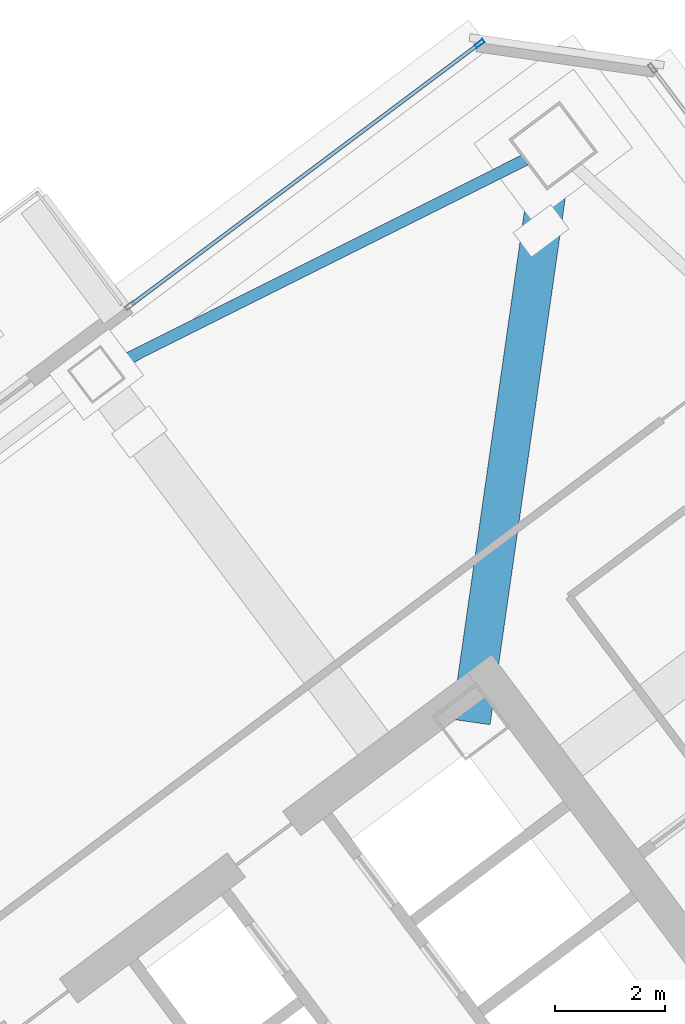
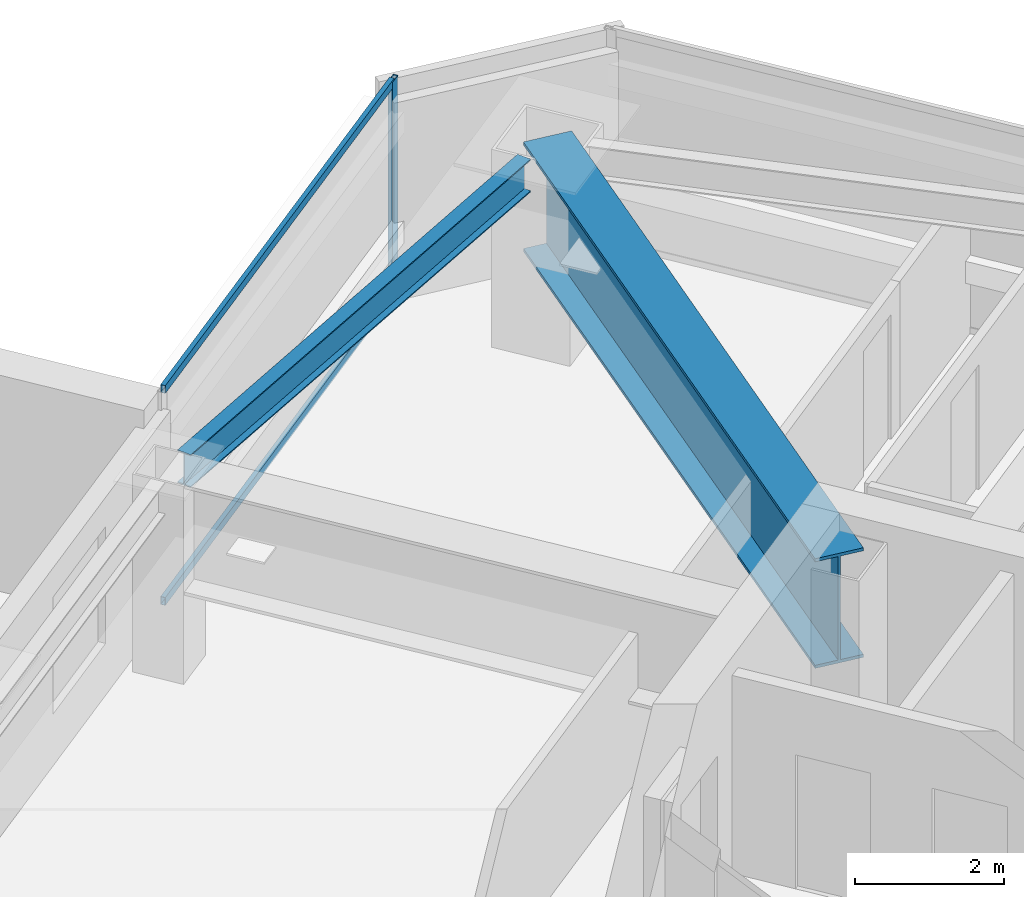
# One storey, part 28 of 42: 3 members, 2 beams, 1 element without a shape of its own.
"""IFC4 building model written with IfcOpenShell, lengths in metres."""

import ifcopenshell
import ifcopenshell.guid

model = None  # the IFC model being written
_history = None  # IfcOwnerHistory: only IFC2X3 demands one
_inside = {}  # id of a spatial element -> (the spatial element, [elements in it])
_under = {}  # id of a project, library or spatial element -> (it, [spatial elements below it])
_declared = {}  # id of a project -> (the project, [libraries it declares])
_typed = {}  # id of a type object -> (the type object, [elements of that type])
_made_of = {}  # id of a material, layer set ... -> (it, [elements and type objects made of it])


def new_model(schema):
    """Start an empty IFC model of exactly this schema.

    Asked for "IFC4X3", IfcOpenShell would pick the latest addendum, in which some entities
    have other attributes; the version numbers below select the first issue.
    IFC2X3 requires an IfcOwnerHistory on every rooted entity: one is made here for all.
    """
    global model, _history
    if schema == "IFC4X3":
        model = ifcopenshell.file(schema_version=(4, 3, 0, 0))
    else:
        model = ifcopenshell.file(schema=schema)
    _inside.clear()
    _under.clear()
    _declared.clear()
    _typed.clear()
    _made_of.clear()
    _history = None
    if model.schema == "IFC2X3":
        org = make("IfcOrganization", Name="unknown")
        user = make(
            "IfcPersonAndOrganization",
            ThePerson=make("IfcPerson", FamilyName="unknown"),
            TheOrganization=org,
        )
        app = make(
            "IfcApplication",
            ApplicationDeveloper=org,
            Version="unknown",
            ApplicationFullName="unknown",
            ApplicationIdentifier="unknown",
        )
        _history = make(
            "IfcOwnerHistory",
            OwningUser=user,
            OwningApplication=app,
            ChangeAction="ADDED",
            CreationDate=0,
        )
    return model


def make(cls, **values):
    """One entity of the class cls with the attributes given. An attribute that is None is left unset."""
    return model.create_entity(
        cls, **{name: value for name, value in values.items() if value is not None}
    )


def rooted(cls, **values):
    """An entity with a GlobalId (a new one), such as an element, a storey or a relation."""
    return make(cls, GlobalId=ifcopenshell.guid.new(), OwnerHistory=_history, **values)


def si_unit(unit_type, name, prefix=None):
    """IfcSIUnit, for example si_unit("LENGTHUNIT", "METRE", prefix="MILLI")."""
    return make("IfcSIUnit", UnitType=unit_type, Prefix=prefix, Name=name)


def assignment(units):
    """IfcUnitAssignment: the units of a project."""
    return None if units is None else make("IfcUnitAssignment", Units=units)


def point(xyz):
    """IfcCartesianPoint."""
    return None if xyz is None else make("IfcCartesianPoint", Coordinates=xyz)


def direction(xyz):
    """IfcDirection."""
    return None if xyz is None else make("IfcDirection", DirectionRatios=xyz)


def frame(location, z_axis=None, x_axis=None):
    """IfcAxis2Placement3D, a coordinate frame: its origin and axes. An axis left out is left unset."""
    return make(
        "IfcAxis2Placement3D",
        Location=point(location),
        Axis=direction(z_axis),
        RefDirection=direction(x_axis),
    )


def frame_2d(location, x_axis=None):
    """IfcAxis2Placement2D, a coordinate frame in the plane: its origin and x axis."""
    return make(
        "IfcAxis2Placement2D", Location=point(location), RefDirection=direction(x_axis)
    )


def origin():
    """The frame at (0, 0, 0) with its axes left unset."""
    return frame((0.0, 0.0, 0.0))


def origin_2d():
    """The frame at (0, 0) in the plane with its x axis left unset."""
    return frame_2d((0.0, 0.0))


def place(relative_to, where):
    """IfcLocalPlacement: puts the frame where relative to a parent placement (None: the world)."""
    return make(
        "IfcLocalPlacement", PlacementRelTo=relative_to, RelativePlacement=where
    )


def context(
    kind, dimensions, precision=None, world=None, true_north=None, identifier=None
):
    """IfcGeometricRepresentationContext, for example the 3D "Model" context."""
    return make(
        "IfcGeometricRepresentationContext",
        ContextIdentifier=identifier,
        ContextType=kind,
        CoordinateSpaceDimension=dimensions,
        Precision=precision,
        WorldCoordinateSystem=world,
        TrueNorth=true_north,
    )


def subcontext(parent, identifier, kind, view, scale=None):
    """IfcGeometricRepresentationSubContext, for example "Body" below "Model"."""
    return make(
        "IfcGeometricRepresentationSubContext",
        ContextIdentifier=identifier,
        ContextType=kind,
        ParentContext=parent,
        TargetScale=scale,
        TargetView=view,
    )


def project(units=None, contexts=None):
    """IfcProject with its units and contexts."""
    return rooted(
        "IfcProject",
        Name="project",
        RepresentationContexts=contexts,
        UnitsInContext=assignment(units),
    )


def spatial(cls, under=None, at=None, **own):
    """A site, building, storey or space (cls), placed at a placement, below another one or the project."""
    s = rooted(cls, ObjectPlacement=at, **own)
    if under is not None:
        _under.setdefault(under.id(), (under, []))[1].append(s)
    return s


def profile(cls, at=None, kind="AREA", **sizes):
    """A parametric profile (cls). Its sizes go by their IFC names, for example OverallWidth=200.0."""
    return make(cls, ProfileType=kind, Position=at, **sizes)


def hollow_rectangle(**sizes):
    """IfcRectangleHollowProfileDef."""
    return profile("IfcRectangleHollowProfileDef", **sizes)


def i_section(**sizes):
    """IfcIShapeProfileDef."""
    return profile("IfcIShapeProfileDef", **sizes)


def extrude(swept, where, along, depth):
    """IfcExtrudedAreaSolid: the profile swept, set in the frame where, extruded along a direction by depth."""
    return make(
        "IfcExtrudedAreaSolid",
        SweptArea=swept,
        Position=where,
        ExtrudedDirection=direction(along),
        Depth=depth,
    )


def shape(context_of_items, identifier, shape_type, items):
    """IfcShapeRepresentation: the items that make up one representation, for example the "Body"."""
    return make(
        "IfcShapeRepresentation",
        ContextOfItems=context_of_items,
        RepresentationIdentifier=identifier,
        RepresentationType=shape_type,
        Items=items,
    )


def material(Name=None, Category=None):
    """IfcMaterial."""
    return make("IfcMaterial", Name=Name, Category=Category)


def material_profile(
    of_material, cross_section, Name=None, Category=None, Priority=None
):
    """IfcMaterialProfile: a cross section and its material."""
    return make(
        "IfcMaterialProfile",
        Name=Name,
        Material=of_material,
        Profile=cross_section,
        Priority=Priority,
        Category=Category,
    )


def profile_set(profiles, Name=None, composite=None):
    """IfcMaterialProfileSet."""
    return make(
        "IfcMaterialProfileSet",
        Name=Name,
        MaterialProfiles=profiles,
        CompositeProfile=composite,
    )


def made_of(thing, what):
    """Note that an element or type object is made of a material, layer set ...; save() writes the relation."""
    if what is not None:
        _made_of.setdefault(what.id(), (what, []))[1].append(thing)
    return thing


def type_object(cls, material=None, **own):
    """A type object (cls), such as IfcWallType, which elements share."""
    return made_of(rooted(cls, **own), material)


def element(
    cls,
    number,
    at=None,
    inside=None,
    cuts=None,
    type_object=None,
    material=None,
    context=None,
    identifier="Body",
    shape_type=None,
    held_by="IfcProductDefinitionShape",
    body=None,
    shapes=None,
    **own,
):
    """One element of the class cls, such as IfcWall. Its Tag is "e" and its number.

    at: its placement. inside: the storey or other place that contains it. cuts: it is an
    opening in that element (IfcRelVoidsElement). A single representation is given by context,
    identifier, shape_type and body (its items); several are given by shapes. held_by: the class
    of the entity that holds the representations. save() writes the other relations.
    """
    e = rooted(cls, Tag="e%d" % number, ObjectPlacement=at, **own)
    if body is not None:
        shapes = [shape(context, identifier, shape_type, body)]
    if shapes is not None:
        e.Representation = make(held_by, Representations=shapes)
    if inside is not None:
        _inside.setdefault(inside.id(), (inside, []))[1].append(e)
    if cuts is not None:
        rooted(
            "IfcRelVoidsElement", RelatingBuildingElement=cuts, RelatedOpeningElement=e
        )
    if type_object is not None:
        _typed.setdefault(type_object.id(), (type_object, []))[1].append(e)
    return made_of(e, material)


def aggregate(whole, parts):
    """IfcRelAggregates: a whole, such as a stair, and the parts it consists of."""
    return rooted("IfcRelAggregates", RelatingObject=whole, RelatedObjects=parts)


def save(model, path):
    """Write the relations noted so far, then the file.

    IfcRelAggregates (storeys below a building ...), IfcRelContainedInSpatialStructure (elements
    in a storey), IfcRelDefinesByType, IfcRelAssociatesMaterial and IfcRelDeclares: one each for
    every whole, place, type object, material and project.
    """
    for whole, parts in _under.values():
        aggregate(whole, parts)
    for where, things in _inside.values():
        rooted(
            "IfcRelContainedInSpatialStructure",
            RelatedElements=things,
            RelatingStructure=where,
        )
    for kind, things in _typed.values():
        rooted("IfcRelDefinesByType", RelatedObjects=things, RelatingType=kind)
    for what, things in _made_of.values():
        rooted("IfcRelAssociatesMaterial", RelatedObjects=things, RelatingMaterial=what)
    for by, libraries in _declared.values():
        rooted("IfcRelDeclares", RelatingContext=by, RelatedDefinitions=libraries)
    model.write(path)


model = new_model("IFC4")

# Units and contexts
model_context = context("Model", 3, precision=1e-05, world=origin(), true_north=direction((0.0, 1.0)))
body_context = subcontext(model_context, "Body", "Model", "MODEL_VIEW")
ifc_project = project(units=[si_unit("LENGTHUNIT", "METRE"), si_unit("AREAUNIT", "SQUARE_METRE"), si_unit("VOLUMEUNIT", "CUBIC_METRE"), si_unit("PLANEANGLEUNIT", "RADIAN"), si_unit("MASSUNIT", "GRAM", prefix="KILO")], contexts=[model_context])

# Site, building, storey
site_placement = place(None, origin())
site = spatial("IfcSite", under=ifc_project, at=site_placement, CompositionType="ELEMENT")
building_placement = place(site_placement, origin())
building = spatial("IfcBuilding", under=site, at=building_placement, Name="Tashvorn Skyway Center", CompositionType="ELEMENT")
storey_placement = place(building_placement, frame((0.0, 0.0, 196.050048828125)))
storey = spatial("IfcBuildingStorey", under=building, at=storey_placement, Name="L53", CompositionType="ELEMENT", Elevation=196.050048828125)

# Beams
ifc_material_1 = material(Name="Steel ASTM A572 Grade 50", Category="steel")
ifc_material_profile_1 = material_profile(ifc_material_1, i_section(OverallWidth=0.699951171875, OverallDepth=1.800048828125, WebThickness=0.031982421875, FlangeThickness=0.050048828125, at=origin_2d()), Name="PG1800x700")
ifc_profile_set_1 = profile_set([ifc_material_profile_1], Name="Steel ASTM A572 Grade 50")
beam_type_1 = type_object("IfcBeamType", Name="BM-BEAM-PG1800x700", PredefinedType="BEAM", material=ifc_profile_set_1)
beam_1_placement = place(storey_placement, frame((116.89990234375, 52.300048828125, 2.349853515625), z_axis=(-0.141421356237, -0.989949493661, 0.0), x_axis=(0.989949493661, -0.141421356237, 0.0)))
element("IfcBeam", 1, at=beam_1_placement, inside=storey, type_object=beam_type_1, Name="Tower 2 L53 Setback Transfer Girder MC-NE", PredefinedType="BEAM", context=body_context, shape_type="SweptSolid", body=[
    extrude(i_section(OverallWidth=0.699951171875, OverallDepth=1.800048828125, WebThickness=0.031982421875, FlangeThickness=0.050048828125, at=origin_2d()), origin(), (0.0, 0.0, 1.0), 10.535888671875),
])
ifc_material_2 = material(Name="Steel ASTM A992 Grade 50", Category="steel")
ifc_material_profile_2 = material_profile(ifc_material_2, i_section(OverallWidth=0.2109375, OverallDepth=0.5390625, WebThickness=0.01171875, FlangeThickness=0.018798828125, at=origin_2d()), Name="W21X73")
ifc_profile_set_2 = profile_set([ifc_material_profile_2], Name="Steel ASTM A992 Grade 50")
beam_type_2 = type_object("IfcBeamType", Name="BM-SPANDREL-W21X73", PredefinedType="SPANDREL", material=ifc_profile_set_2)
beam_2_placement = place(storey_placement, frame((116.390380859375, 52.044921875, 2.98046875), z_axis=(-0.894209637559, -0.447648438059, 0.0), x_axis=(0.447648438059, -0.894209637559, 0.0)))
element("IfcBeam", 2, at=beam_2_placement, inside=storey, type_object=beam_type_2, Name="Tower 2 L53 Spandrel Beam 07", PredefinedType="SPANDREL", context=body_context, shape_type="SweptSolid", body=[
    extrude(i_section(OverallWidth=0.2109375, OverallDepth=0.5390625, WebThickness=0.01171875, FlangeThickness=0.018798828125, at=origin_2d()), origin(), (0.0, 0.0, 1.0), 8.308349609375),
])

# Curtain wall, members
ifc_material_3 = material(Name="Thermally broken bronze-anodized aluminium 6063-T6", Category="aluminium")
curtain_wall_type = type_object("IfcCurtainWallType", Name="CW-CW-Z4", PredefinedType="NOTDEFINED", material=ifc_material_3)
curtain_wall_placement = place(storey_placement, origin())
curtain_wall = element("IfcCurtainWall", 3, at=curtain_wall_placement, inside=storey, type_object=curtain_wall_type, Name="Tower 2 L53 North Curtain Wall R", PredefinedType="NOTDEFINED")
ifc_material_profile_3 = material_profile(ifc_material_3, hollow_rectangle(XDim=0.070068359375, YDim=0.179931640625, WallThickness=0.00390625, at=origin_2d()), Name="ALU-MULL-70x180")
ifc_profile_set_3 = profile_set([ifc_material_profile_3], Name="Thermally broken bronze-anodized aluminium 6063-T6")
member_type_1 = type_object("IfcMemberType", Name="CWM-CW-Z4", PredefinedType="MULLION", material=ifc_profile_set_3)
member_1_placement = place(storey_placement, frame((115.568115234375, 54.15087890625, 0.0), z_axis=(0.0, 0.0, 1.0), x_axis=(-0.600000000002, 0.799999999998, 0.0)))
member_1 = element("IfcMember", 4, at=member_1_placement, type_object=member_type_1, Name="CW-Z4 mullion 2", PredefinedType="MULLION", context=body_context, shape_type="SweptSolid", body=[
    extrude(hollow_rectangle(XDim=0.070068359375, YDim=0.179931640625, WallThickness=0.00390625, at=origin_2d()), origin(), (0.0, 0.0, 1.0), 3.550048828125),
])
ifc_material_profile_4 = material_profile(ifc_material_3, hollow_rectangle(XDim=0.070068359375, YDim=0.1298828125, WallThickness=0.00390625, at=origin_2d()), Name="ALU-TRAN-70x130")
ifc_profile_set_4 = profile_set([ifc_material_profile_4], Name="Thermally broken bronze-anodized aluminium 6063-T6")
member_type_2 = type_object("IfcMemberType", Name="CWT-CW-Z4", PredefinedType="USERDEFINED", material=ifc_profile_set_4)
member_2_placement = place(storey_placement, frame((109.26806640625, 49.426025390625, 0.034912109375), z_axis=(0.800007473733, 0.599990034893, 0.0), x_axis=(-0.599990034893, 0.800007473733, 0.0)))
member_2 = element("IfcMember", 5, at=member_2_placement, type_object=member_type_2, Name="CW-Z4 transom 1.1", ObjectType="TRANSOM", PredefinedType="USERDEFINED", context=body_context, shape_type="SweptSolid", body=[
    extrude(hollow_rectangle(XDim=0.070068359375, YDim=0.1298828125, WallThickness=0.00390625, at=origin_2d()), origin(), (0.0, 0.0, 1.0), 7.83984375),
])
member_3_placement = place(storey_placement, frame((109.26806640625, 49.426025390625, 3.514892578125), z_axis=(0.800007473733, 0.599990034893, 0.0), x_axis=(-0.599990034893, 0.800007473733, 0.0)))
member_3 = element("IfcMember", 6, at=member_3_placement, type_object=member_type_2, Name="CW-Z4 transom 1.2", ObjectType="TRANSOM", PredefinedType="USERDEFINED", context=body_context, shape_type="SweptSolid", body=[
    extrude(hollow_rectangle(XDim=0.070068359375, YDim=0.1298828125, WallThickness=0.00390625, at=origin_2d()), origin(), (0.0, 0.0, 1.0), 7.83984375),
])
aggregate(curtain_wall, [member_1, member_2, member_3])

save(model, "model.ifc")
